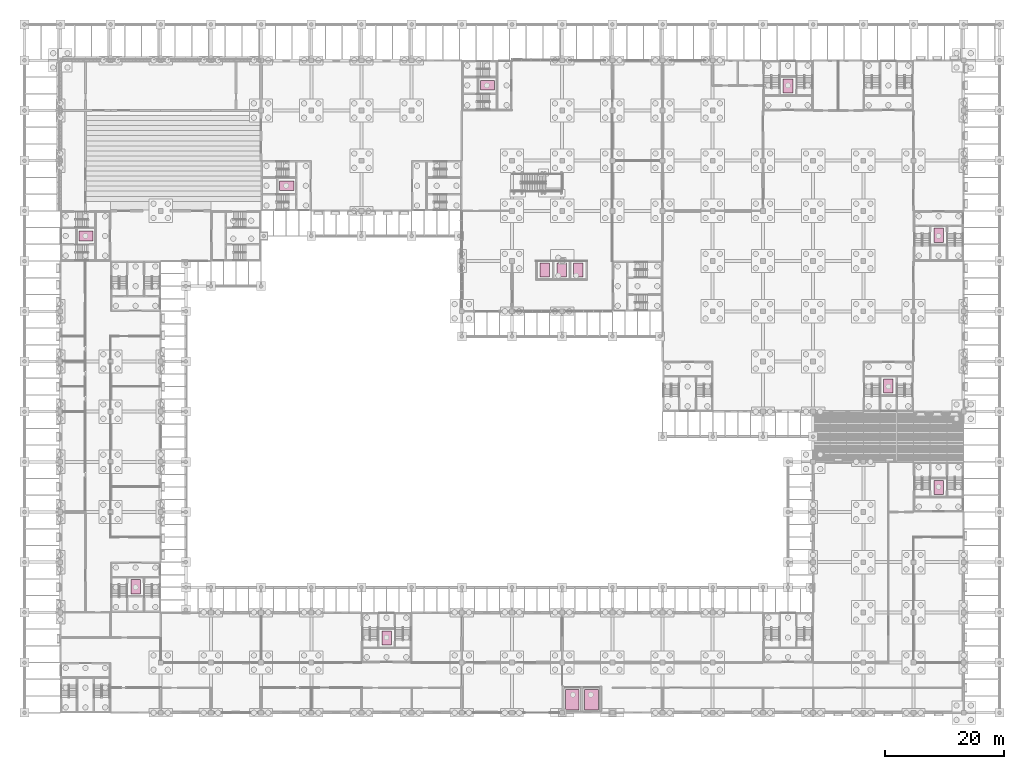
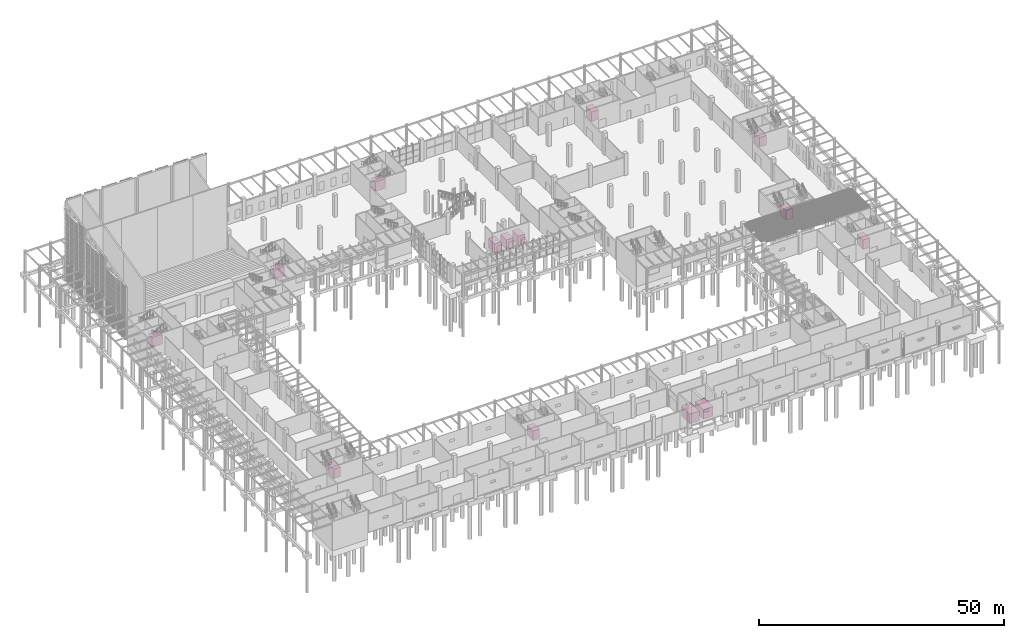
# One storey, part 82 of 82: 14 transport elements.
"""IFC4 building model written with IfcOpenShell, lengths in metres."""

from ifc_helpers import new_model, si_unit, direction, frame, origin, origin_2d, place, context, subcontext, project, spatial, rectangle, extrude, material, type_object, element, save


model = new_model("IFC4")

# Units and contexts
model_context = context("Model", 3, precision=1e-05, world=origin(), true_north=direction((0.0, 1.0)))
body_context = subcontext(model_context, "Body", "Model", "MODEL_VIEW")
ifc_project = project(units=[si_unit("LENGTHUNIT", "METRE"), si_unit("AREAUNIT", "SQUARE_METRE"), si_unit("VOLUMEUNIT", "CUBIC_METRE"), si_unit("PLANEANGLEUNIT", "RADIAN"), si_unit("MASSUNIT", "GRAM", prefix="KILO")], contexts=[model_context])

# Site, building, storey
site_placement = place(None, origin())
site = spatial("IfcSite", under=ifc_project, at=site_placement, CompositionType="ELEMENT")
building_placement = place(site_placement, origin())
building = spatial("IfcBuilding", under=site, at=building_placement, Name="Almond Square Museum", CompositionType="ELEMENT")
storey_placement = place(building_placement, origin())
storey = spatial("IfcBuildingStorey", under=building, at=storey_placement, Name="L00", CompositionType="ELEMENT", Elevation=0.0)

# Transport elements
ifc_material_1 = material(Name="Stainless steel and laminated glass", Category="steel")
transport_element_type_1 = type_object("IfcTransportElementType", Name="Glass atrium lift car 1600 x 2400", PredefinedType="ELEVATOR", material=ifc_material_1)
for number, where, z_axis, x_axis, name in (
    (1, (87.10009765625, 74.10009765625, 0.0), (0.0, 0.0, 1.0), (1.0, 0.0, 0.0), "Atrium Lift AL1"),
    (2, (89.89990234375, 74.10009765625, 0.0), (0.0, 0.0, 1.0), (1.0, 0.0, 0.0), "Atrium Lift AL2"),
    (3, (92.699951171875, 74.10009765625, 0.0), (0.0, 0.0, 1.0), (1.0, 0.0, 0.0), "Atrium Lift AL3"),
):
    element("IfcTransportElement", number, at=place(storey_placement, frame(where, z_axis=z_axis, x_axis=x_axis)), inside=storey, type_object=transport_element_type_1, Name=name, PredefinedType="ELEVATOR", context=body_context, shape_type="SweptSolid", body=[
        extrude(rectangle(XDim=1.60009765625, YDim=2.39990234375, at=origin_2d()), origin(), (0.0, 0.0, 1.0), 2.39990234375),
    ])
ifc_material_2 = material(Name="Stainless steel", Category="steel")
transport_element_type_2 = type_object("IfcTransportElementType", Name="Goods lift car 2300 x 3400", PredefinedType="ELEVATOR", material=ifc_material_2)
for number, where, z_axis, x_axis, name in (
    (4, (91.699951171875, 2.199951171875, 0.0), (0.0, 0.0, 1.0), (1.0, 0.0, 0.0), "Goods Lift GL1"),
    (5, (94.89990234375, 2.199951171875, 0.0), (0.0, 0.0, 1.0), (1.0, 0.0, 0.0), "Goods Lift GL2"),
):
    element("IfcTransportElement", number, at=place(storey_placement, frame(where, z_axis=z_axis, x_axis=x_axis)), inside=storey, type_object=transport_element_type_2, Name=name, PredefinedType="ELEVATOR", context=body_context, shape_type="SweptSolid", body=[
        extrude(rectangle(XDim=2.300048828125, YDim=3.39990234375, at=origin_2d()), origin(), (0.0, 0.0, 1.0), 2.39990234375),
    ])
ifc_material_3 = material(Name="Stainless steel", Category="steel")
transport_element_type_3 = type_object("IfcTransportElementType", Name="Passenger lift car 1600 x 2400", PredefinedType="ELEVATOR", material=ifc_material_3)
for number, where, z_axis, x_axis, name in (
    (6, (144.60009765625, 54.699951171875, 0.0), (0.0, 0.0, 1.0), (1.0, 0.0, 0.0), "Passenger Lift PL-H2"),
    (7, (127.800048828125, 104.89990234375, 0.0), (0.0, 0.0, 1.0), (1.0, 0.0, 0.0), "Passenger Lift PL-H4"),
):
    element("IfcTransportElement", number, at=place(storey_placement, frame(where, z_axis=z_axis, x_axis=x_axis)), inside=storey, type_object=transport_element_type_3, Name=name, PredefinedType="ELEVATOR", context=body_context, shape_type="SweptSolid", body=[
        extrude(rectangle(XDim=1.60009765625, YDim=2.39990234375, at=origin_2d()), origin(), (0.0, 0.0, 1.0), 2.39990234375),
    ])
for number, where, z_axis, x_axis, name in (
    (8, (77.5, 105.0, 0.0), (0.0, 0.0, 1.0), (1.0, 0.0, 0.0), "Passenger Lift PL-A1"),
    (9, (10.300048828125, 79.800048828125, 0.0), (0.0, 0.0, 1.0), (1.0, 0.0, 0.0), "Passenger Lift PL-U1"),
    (10, (43.89990234375, 88.199951171875, 0.0), (0.0, 0.0, 1.0), (1.0, 0.0, 0.0), "Passenger Lift PL-N1"),
):
    element("IfcTransportElement", number, at=place(storey_placement, frame(where, z_axis=z_axis, x_axis=x_axis)), inside=storey, type_object=transport_element_type_3, Name=name, PredefinedType="ELEVATOR", context=body_context, shape_type="SweptSolid", body=[
        extrude(rectangle(XDim=2.39990234375, YDim=1.60009765625, at=origin_2d()), origin(), (0.0, 0.0, 1.0), 2.39990234375),
    ])
for number, where, z_axis, x_axis, name in (
    (11, (18.60009765625, 21.10009765625, 0.0), (0.0, 0.0, 1.0), (1.0, 0.0, 0.0), "Passenger Lift PL-W1"),
    (12, (153.0, 79.89990234375, 0.0), (0.0, 0.0, 1.0), (1.0, 0.0, 0.0), "Passenger Lift PL-E1"),
    (13, (60.60009765625, 12.5, 0.0), (0.0, 0.0, 1.0), (1.0, 0.0, 0.0), "Passenger Lift PL-S2"),
    (14, (153.0, 37.699951171875, 0.0), (0.0, 0.0, 1.0), (1.0, 0.0, 0.0), "Passenger Lift PL-X1"),
):
    element("IfcTransportElement", number, at=place(storey_placement, frame(where, z_axis=z_axis, x_axis=x_axis)), inside=storey, type_object=transport_element_type_3, Name=name, PredefinedType="ELEVATOR", context=body_context, shape_type="SweptSolid", body=[
        extrude(rectangle(XDim=1.60009765625, YDim=2.39990234375, at=origin_2d()), origin(), (0.0, 0.0, 1.0), 2.39990234375),
    ])

save(model, "model.ifc")
